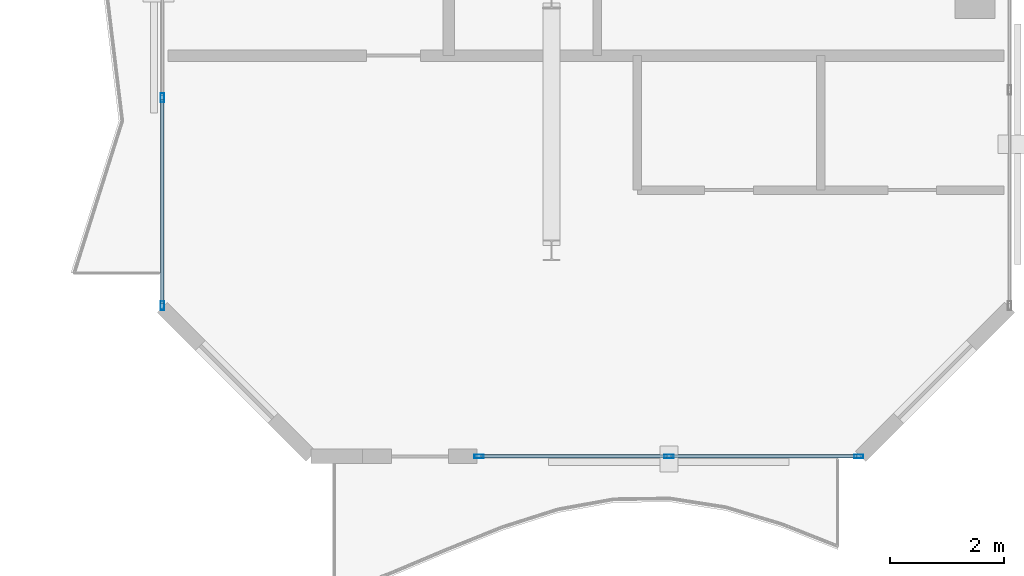
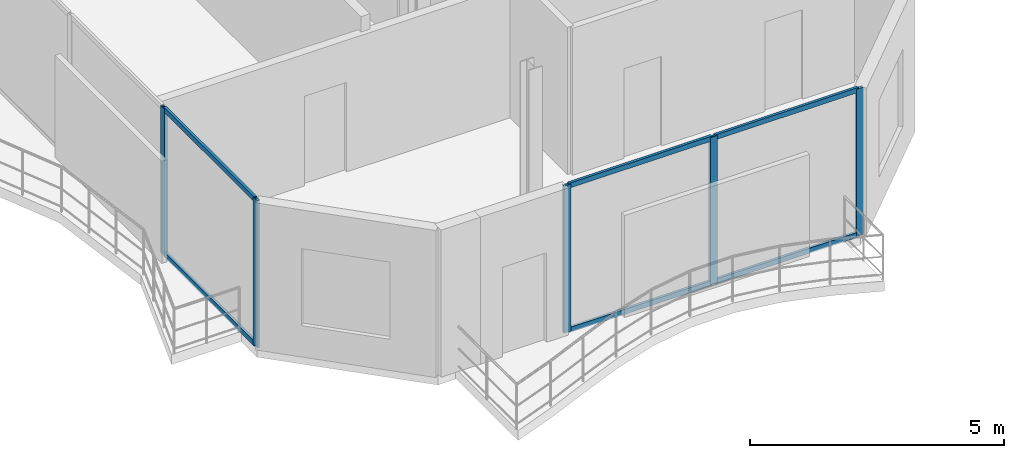
# One storey, part 2 of 17: 11 members, 2 elements without a shape of their own.
"""IFC4 building model written with IfcOpenShell, lengths in metres."""

from ifc_helpers import new_model, si_unit, direction, frame, origin, origin_2d, place, context, subcontext, project, spatial, hollow_rectangle, extrude, material, layer, layer_set, material_profile, profile_set, type_object, element, aggregate, save


model = new_model("IFC4")

# Units and contexts
model_context = context("Model", 3, precision=1e-05, world=origin(), true_north=direction((0.0, 1.0)))
body_context = subcontext(model_context, "Body", "Model", "MODEL_VIEW")
ifc_project = project(units=[si_unit("LENGTHUNIT", "METRE"), si_unit("AREAUNIT", "SQUARE_METRE"), si_unit("VOLUMEUNIT", "CUBIC_METRE"), si_unit("PLANEANGLEUNIT", "RADIAN"), si_unit("MASSUNIT", "GRAM", prefix="KILO")], contexts=[model_context])

# Site, building, storey
site_placement = place(None, origin())
site = spatial("IfcSite", under=ifc_project, at=site_placement, CompositionType="ELEMENT")
building_placement = place(site_placement, origin())
building = spatial("IfcBuilding", under=site, at=building_placement, Name="Catumbela Crestline Tower", CompositionType="ELEMENT")
storey_placement = place(building_placement, frame((0.0, 0.0, 279.2)))
storey = spatial("IfcBuildingStorey", under=building, at=storey_placement, Name="L72", CompositionType="ELEMENT", Elevation=279.2)

# Curtain wall, members
ifc_material = material(Name="Aluminium alloy AW-6060-T66", Category="aluminium")
ifc_layer = layer(ifc_material, 0.18, Name="Aluminium alloy AW-6060-T66")
ifc_layer_set = layer_set([ifc_layer], Name="Aluminium alloy AW-6060-T66")
curtain_wall_type = type_object("IfcCurtainWallType", Name="CWU-Z4", PredefinedType="USERDEFINED", material=ifc_layer_set)
curtain_wall_1_placement = place(storey_placement, origin())
curtain_wall_1 = element("IfcCurtainWall", 1, at=curtain_wall_1_placement, inside=storey, type_object=curtain_wall_type, Name="L72 Unitised Curtain Wall CW-L72-E0S2", ObjectType="UNITISED", PredefinedType="USERDEFINED")
ifc_material_profile_1 = material_profile(ifc_material, hollow_rectangle(XDim=0.06, YDim=0.16, WallThickness=0.004, at=origin_2d()), Name="ALU 160x60x4")
ifc_profile_set_1 = profile_set([ifc_material_profile_1], Name="Aluminium alloy AW-6060-T66")
member_type_1 = type_object("IfcMemberType", Name="MUL-160X60", PredefinedType="MULLION", material=ifc_profile_set_1)
member_1_placement = place(storey_placement, frame((14.7325, 10.0, 0.0), z_axis=(0.0, 0.0, 1.0), x_axis=(0.0, 1.0, 0.0)))
member_1 = element("IfcMember", 2, at=member_1_placement, type_object=member_type_1, Name="CWU-Z4 mullion 1", PredefinedType="MULLION", context=body_context, shape_type="SweptSolid", body=[
    extrude(hollow_rectangle(XDim=0.06, YDim=0.16, WallThickness=0.004, at=origin_2d()), origin(), (0.0, 0.0, 1.0), 3.53),
])
member_2_placement = place(storey_placement, frame((18.05, 10.0, 0.0), z_axis=(0.0, 0.0, 1.0), x_axis=(0.0, 1.0, 0.0)))
member_2 = element("IfcMember", 3, at=member_2_placement, type_object=member_type_1, Name="CWU-Z4 mullion 2", PredefinedType="MULLION", context=body_context, shape_type="SweptSolid", body=[
    extrude(hollow_rectangle(XDim=0.06, YDim=0.16, WallThickness=0.004, at=origin_2d()), origin(), (0.0, 0.0, 1.0), 3.53),
])
member_3_placement = place(storey_placement, frame((21.3675, 10.0, 0.0), z_axis=(0.0, 0.0, 1.0), x_axis=(0.0, 1.0, 0.0)))
member_3 = element("IfcMember", 4, at=member_3_placement, type_object=member_type_1, Name="CWU-Z4 mullion 3", PredefinedType="MULLION", context=body_context, shape_type="SweptSolid", body=[
    extrude(hollow_rectangle(XDim=0.06, YDim=0.16, WallThickness=0.004, at=origin_2d()), origin(), (0.0, 0.0, 1.0), 3.53),
])

curtain_wall_2_placement = place(storey_placement, origin())
curtain_wall_2 = element("IfcCurtainWall", 5, at=curtain_wall_2_placement, inside=storey, type_object=curtain_wall_type, Name="L72 Unitised Curtain Wall CW-L72-E9S2", ObjectType="UNITISED", PredefinedType="USERDEFINED")
member_4_placement = place(storey_placement, frame((9.2, 16.2667, 0.0), z_axis=(0.0, 0.0, 1.0), x_axis=(1.0, 0.0, 0.0)))
member_4 = element("IfcMember", 6, at=member_4_placement, type_object=member_type_1, Name="CWU-Z4 mullion 6", PredefinedType="MULLION", context=body_context, shape_type="SweptSolid", body=[
    extrude(hollow_rectangle(XDim=0.06, YDim=0.16, WallThickness=0.004, at=origin_2d()), origin(), (0.0, 0.0, 1.0), 3.53),
])
member_5_placement = place(storey_placement, frame((9.2, 12.6325, 0.0), z_axis=(0.0, 0.0, 1.0), x_axis=(1.0, 0.0, 0.0)))
member_5 = element("IfcMember", 7, at=member_5_placement, type_object=member_type_1, Name="CWU-Z4 mullion 7", PredefinedType="MULLION", context=body_context, shape_type="SweptSolid", body=[
    extrude(hollow_rectangle(XDim=0.06, YDim=0.16, WallThickness=0.004, at=origin_2d()), origin(), (0.0, 0.0, 1.0), 3.53),
])

# Member
ifc_material_profile_2 = material_profile(ifc_material, hollow_rectangle(XDim=0.06, YDim=0.12, WallThickness=0.0035, at=origin_2d()), Name="ALU 120x60x3.5")
ifc_profile_set_2 = profile_set([ifc_material_profile_2], Name="Aluminium alloy AW-6060-T66")
member_type_2 = type_object("IfcMemberType", Name="TRN-120X60", PredefinedType="USERDEFINED", material=ifc_profile_set_2)
member_6_placement = place(storey_placement, frame((14.765, 10.0, 0.03), z_axis=(1.0, 0.0, 0.0), x_axis=(0.0, 1.0, 0.0)))
member_6 = element("IfcMember", 8, at=member_6_placement, type_object=member_type_2, Name="CWU-Z4 transom 1.1", ObjectType="TRANSOM", PredefinedType="USERDEFINED", context=body_context, shape_type="SweptSolid", body=[
    extrude(hollow_rectangle(XDim=0.06, YDim=0.12, WallThickness=0.0035, at=origin_2d()), origin(), (0.0, 0.0, 1.0), 3.2525),
])

member_7_placement = place(storey_placement, frame((14.765, 10.0, 3.5), z_axis=(1.0, 0.0, 0.0), x_axis=(0.0, 1.0, 0.0)))
member_7 = element("IfcMember", 9, at=member_7_placement, type_object=member_type_2, Name="CWU-Z4 transom 1.2", ObjectType="TRANSOM", PredefinedType="USERDEFINED", context=body_context, shape_type="SweptSolid", body=[
    extrude(hollow_rectangle(XDim=0.06, YDim=0.12, WallThickness=0.0035, at=origin_2d()), origin(), (0.0, 0.0, 1.0), 3.2525),
])

member_8_placement = place(storey_placement, frame((18.0825, 10.0, 0.03), z_axis=(1.0, 0.0, 0.0), x_axis=(0.0, 1.0, 0.0)))
member_8 = element("IfcMember", 10, at=member_8_placement, type_object=member_type_2, Name="CWU-Z4 transom 2.1", ObjectType="TRANSOM", PredefinedType="USERDEFINED", context=body_context, shape_type="SweptSolid", body=[
    extrude(hollow_rectangle(XDim=0.06, YDim=0.12, WallThickness=0.0035, at=origin_2d()), origin(), (0.0, 0.0, 1.0), 3.2525),
])

member_9_placement = place(storey_placement, frame((18.0825, 10.0, 3.5), z_axis=(1.0, 0.0, 0.0), x_axis=(0.0, 1.0, 0.0)))
member_9 = element("IfcMember", 11, at=member_9_placement, type_object=member_type_2, Name="CWU-Z4 transom 2.2", ObjectType="TRANSOM", PredefinedType="USERDEFINED", context=body_context, shape_type="SweptSolid", body=[
    extrude(hollow_rectangle(XDim=0.06, YDim=0.12, WallThickness=0.0035, at=origin_2d()), origin(), (0.0, 0.0, 1.0), 3.2525),
])

aggregate(curtain_wall_1, [member_1, member_2, member_3, member_6, member_7, member_8, member_9])

member_10_placement = place(storey_placement, frame((9.2, 16.2342, 0.03), z_axis=(0.0, -1.0, 0.0), x_axis=(1.0, 0.0, 0.0)))
member_10 = element("IfcMember", 12, at=member_10_placement, type_object=member_type_2, Name="CWU-Z4 transom 6.1", ObjectType="TRANSOM", PredefinedType="USERDEFINED", context=body_context, shape_type="SweptSolid", body=[
    extrude(hollow_rectangle(XDim=0.06, YDim=0.12, WallThickness=0.0035, at=origin_2d()), origin(), (0.0, 0.0, 1.0), 3.5692),
])

member_11_placement = place(storey_placement, frame((9.2, 16.2342, 3.5), z_axis=(0.0, -1.0, 0.0), x_axis=(1.0, 0.0, 0.0)))
member_11 = element("IfcMember", 13, at=member_11_placement, type_object=member_type_2, Name="CWU-Z4 transom 6.2", ObjectType="TRANSOM", PredefinedType="USERDEFINED", context=body_context, shape_type="SweptSolid", body=[
    extrude(hollow_rectangle(XDim=0.06, YDim=0.12, WallThickness=0.0035, at=origin_2d()), origin(), (0.0, 0.0, 1.0), 3.5692),
])

aggregate(curtain_wall_2, [member_4, member_5, member_10, member_11])

save(model, "model.ifc")
